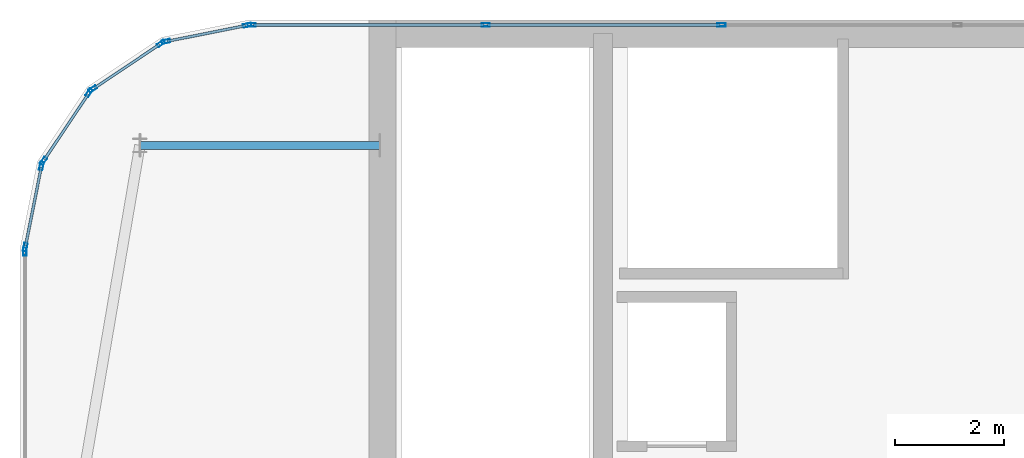
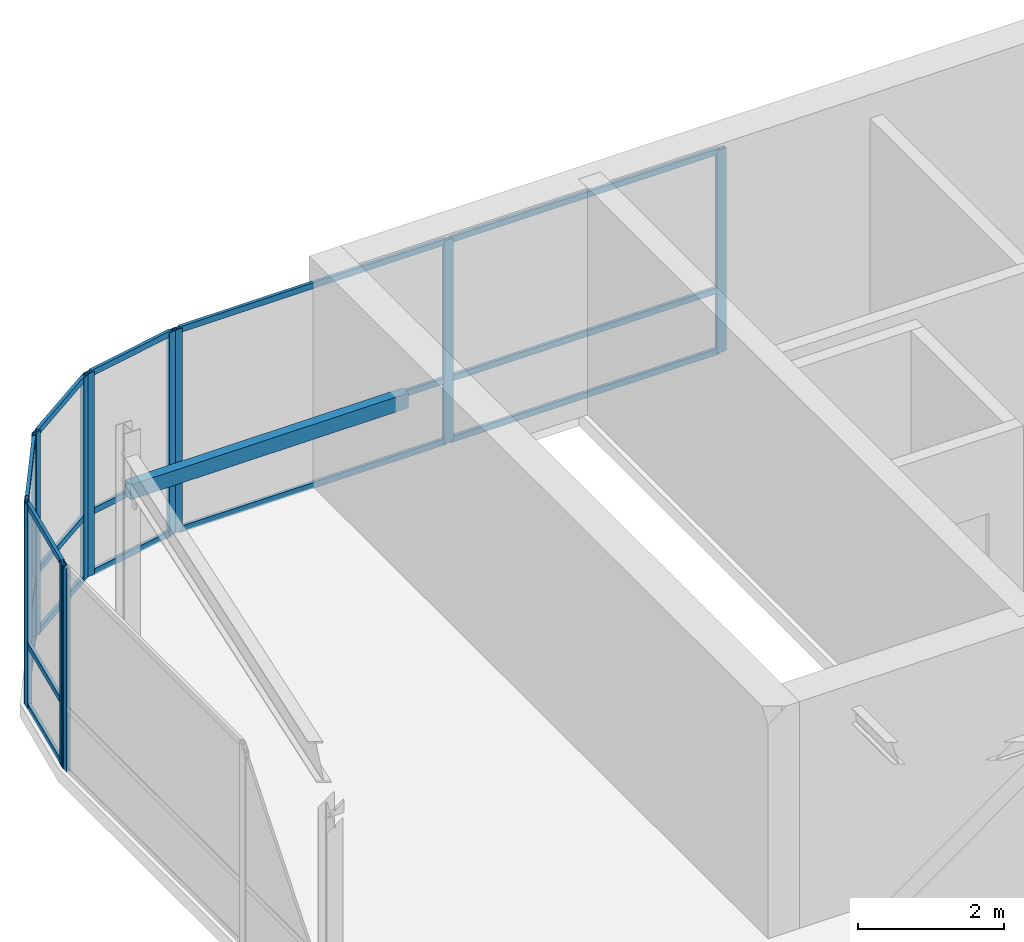
# One storey, part 26 of 35: 31 members, 6 elements without a shape of their own.
"""IFC4 building model written with IfcOpenShell, lengths in metres."""

from ifc_helpers import new_model, si_unit, direction, frame, origin, origin_2d, place, context, subcontext, project, spatial, hollow_rectangle, extrude, source, transform, mapped, material, layer, layer_set, material_profile, profile_set, type_object, type_shapes, element, aggregate, save


model = new_model("IFC4")

# Units and contexts
model_context = context("Model", 3, precision=1e-05, world=origin(), true_north=direction((0.0, 1.0)))
body_context = subcontext(model_context, "Body", "Model", "MODEL_VIEW")
ifc_project = project(units=[si_unit("LENGTHUNIT", "METRE"), si_unit("AREAUNIT", "SQUARE_METRE"), si_unit("VOLUMEUNIT", "CUBIC_METRE"), si_unit("PLANEANGLEUNIT", "RADIAN"), si_unit("MASSUNIT", "GRAM", prefix="KILO")], contexts=[model_context])

# Site, building, storey
site_placement = place(None, origin())
site = spatial("IfcSite", under=ifc_project, at=site_placement, CompositionType="ELEMENT")
building_placement = place(site_placement, origin())
building = spatial("IfcBuilding", under=site, at=building_placement, Name="Tolvann Quenvar Hotel", CompositionType="ELEMENT")
storey_placement = place(building_placement, frame((0.0, 0.0, 309.949951171875)))
storey = spatial("IfcBuildingStorey", under=building, at=storey_placement, Name="L82", CompositionType="ELEMENT", Elevation=309.949951171875)

# Member
ifc_material_1 = material(Name="Steel Grade 450 (C450L0)", Category="steel")
ifc_material_profile_1 = material_profile(ifc_material_1, hollow_rectangle(XDim=0.14990234375, YDim=0.25, WallThickness=0.009033203125, at=origin_2d()), Name="250x150x9RHS")
ifc_profile_set_1 = profile_set([ifc_material_profile_1], Name="Steel Grade 450 (C450L0)")
member_type_1 = type_object("IfcMemberType", Name="MEM_CROWN_250RHS", PredefinedType="USERDEFINED", material=ifc_profile_set_1)
shared_shape_1 = source(origin(), body_context, "Body", "SweptSolid", [
    extrude(hollow_rectangle(XDim=0.14990234375, YDim=0.25, WallThickness=0.009033203125, at=origin_2d()), origin(), (0.0, 0.0, 1.0), 4.39990234375),
])
type_shapes(member_type_1, [shared_shape_1])
member_1_placement = place(storey_placement, frame((5.800048828125, 41.89990234375, 2.75), z_axis=(1.0, 0.0, 0.0), x_axis=(0.0, 1.0, 0.0)))
element("IfcMember", 1, at=member_1_placement, inside=storey, type_object=member_type_1, Name="Crown Frame Ring Member (L82-4)", ObjectType="CROWN FRAME", PredefinedType="USERDEFINED", context=body_context, shape_type="MappedRepresentation", body=[
    mapped(shared_shape_1, transform((0.0, 0.0, 0.0), x_axis=(1.0, 0.0, 0.0), y_axis=(0.0, 1.0, 0.0), z_axis=(0.0, 0.0, 1.0), scale=1.0)),
])

# Curtain wall, members
ifc_material_2 = material(Name="Thermally broken anodised architectural aluminium 6063-T6 and laminated low-E glass", Category="aluminium")
ifc_layer = layer(ifc_material_2, 0.179931640625)
ifc_layer_set = layer_set([ifc_layer], Name="Thermally broken anodised architectural aluminium 6063-T6 and laminated low-E glass")
curtain_wall_type = type_object("IfcCurtainWallType", Name="CW_SYS_LANT_06", PredefinedType="USERDEFINED", material=ifc_layer_set)
curtain_wall_1_placement = place(storey_placement, origin())
curtain_wall_1 = element("IfcCurtainWall", 2, at=curtain_wall_1_placement, inside=storey, type_object=curtain_wall_type, Name="Curtain Wall CW-LANT-06 (CWR-L82-E16)", ObjectType="UNITISED CURTAIN WALL", PredefinedType="USERDEFINED")
ifc_material_3 = material(Name="Anodised architectural aluminium 6063-T6 framing", Category="aluminium")
ifc_material_profile_2 = material_profile(ifc_material_3, hollow_rectangle(XDim=0.050048828125, YDim=0.10009765625, WallThickness=0.0029296875, at=origin_2d()), Name="100x50x3RHS")
ifc_profile_set_2 = profile_set([ifc_material_profile_2], Name="Anodised architectural aluminium 6063-T6 framing")
member_type_2 = type_object("IfcMemberType", Name="CW_TRAN_100x50", PredefinedType="USERDEFINED", material=ifc_profile_set_2)
shared_shape_2 = source(origin(), body_context, "Body", "SweptSolid", [
    extrude(hollow_rectangle(XDim=0.050048828125, YDim=0.10009765625, WallThickness=0.0029296875, at=origin_2d()), origin(), (0.0, 0.0, 1.0), 1.439208984375),
])
member_2_placement = place(storey_placement, frame((6.15966796875, 43.75, 0.025146484375), z_axis=(-0.831449510818, -0.555600315839, 0.0), x_axis=(0.555600315839, -0.831449510818, 0.0)))
member_2 = element("IfcMember", 3, at=member_2_placement, type_object=member_type_2, Name="CW-LANT-06 transom 1.1", ObjectType="TRANSOM", PredefinedType="USERDEFINED", context=body_context, shape_type="MappedRepresentation", body=[
    mapped(shared_shape_2, transform((0.0, 0.0, 0.0), x_axis=(1.0, 0.0, 0.0), y_axis=(0.0, 1.0, 0.0), z_axis=(0.0, 0.0, 1.0), scale=1.0)),
])
member_3_placement = place(storey_placement, frame((6.15966796875, 43.75, 1.050048828125), z_axis=(-0.831449510818, -0.555600315839, 0.0), x_axis=(0.555600315839, -0.831449510818, 0.0)))
member_3 = element("IfcMember", 4, at=member_3_placement, type_object=member_type_2, Name="CW-LANT-06 transom 1.2", ObjectType="TRANSOM", PredefinedType="USERDEFINED", context=body_context, shape_type="MappedRepresentation", body=[
    mapped(shared_shape_2, transform((0.0, 0.0, 0.0), x_axis=(1.0, 0.0, 0.0), y_axis=(0.0, 1.0, 0.0), z_axis=(0.0, 0.0, 1.0), scale=1.0)),
])
member_4_placement = place(storey_placement, frame((6.15966796875, 43.75, 3.375), z_axis=(-0.831449510818, -0.555600315839, 0.0), x_axis=(0.555600315839, -0.831449510818, 0.0)))
member_4 = element("IfcMember", 5, at=member_4_placement, type_object=member_type_2, Name="CW-LANT-06 transom 1.3", ObjectType="TRANSOM", PredefinedType="USERDEFINED", context=body_context, shape_type="MappedRepresentation", body=[
    mapped(shared_shape_2, transform((0.0, 0.0, 0.0), x_axis=(1.0, 0.0, 0.0), y_axis=(0.0, 1.0, 0.0), z_axis=(0.0, 0.0, 1.0), scale=1.0)),
])

curtain_wall_2_placement = place(storey_placement, origin())
curtain_wall_2 = element("IfcCurtainWall", 6, at=curtain_wall_2_placement, inside=storey, type_object=curtain_wall_type, Name="Curtain Wall CW-LANT-06 (CWR-L82-E17)", ObjectType="UNITISED CURTAIN WALL", PredefinedType="USERDEFINED")
member_5_placement = place(storey_placement, frame((4.849609375, 42.836669921875, 0.025146484375), z_axis=(-0.555717578985, -0.831371139989, 0.0), x_axis=(0.831371139989, -0.555717578985, 0.0)))
member_5 = element("IfcMember", 7, at=member_5_placement, type_object=member_type_2, Name="CW-LANT-06 transom 1.1", ObjectType="TRANSOM", PredefinedType="USERDEFINED", context=body_context, shape_type="MappedRepresentation", body=[
    mapped(shared_shape_2, transform((0.0, 0.0, 0.0), x_axis=(1.0, 0.0, 0.0), y_axis=(0.0, 1.0, 0.0), z_axis=(0.0, 0.0, 1.0), scale=1.0)),
])
member_6_placement = place(storey_placement, frame((4.849609375, 42.836669921875, 1.050048828125), z_axis=(-0.555717578985, -0.831371139989, 0.0), x_axis=(0.831371139989, -0.555717578985, 0.0)))
member_6 = element("IfcMember", 8, at=member_6_placement, type_object=member_type_2, Name="CW-LANT-06 transom 1.2", ObjectType="TRANSOM", PredefinedType="USERDEFINED", context=body_context, shape_type="MappedRepresentation", body=[
    mapped(shared_shape_2, transform((0.0, 0.0, 0.0), x_axis=(1.0, 0.0, 0.0), y_axis=(0.0, 1.0, 0.0), z_axis=(0.0, 0.0, 1.0), scale=1.0)),
])
member_7_placement = place(storey_placement, frame((4.849609375, 42.836669921875, 3.375), z_axis=(-0.555717578985, -0.831371139989, 0.0), x_axis=(0.831371139989, -0.555717578985, 0.0)))
member_7 = element("IfcMember", 9, at=member_7_placement, type_object=member_type_2, Name="CW-LANT-06 transom 1.3", ObjectType="TRANSOM", PredefinedType="USERDEFINED", context=body_context, shape_type="MappedRepresentation", body=[
    mapped(shared_shape_2, transform((0.0, 0.0, 0.0), x_axis=(1.0, 0.0, 0.0), y_axis=(0.0, 1.0, 0.0), z_axis=(0.0, 0.0, 1.0), scale=1.0)),
])

curtain_wall_3_placement = place(storey_placement, origin())
curtain_wall_3 = element("IfcCurtainWall", 10, at=curtain_wall_3_placement, inside=storey, type_object=curtain_wall_type, Name="Curtain Wall CW-LANT-06 (CWR-L82-E15)", ObjectType="UNITISED CURTAIN WALL", PredefinedType="USERDEFINED")
shared_shape_3 = source(origin(), body_context, "Body", "SweptSolid", [
    extrude(hollow_rectangle(XDim=0.050048828125, YDim=0.10009765625, WallThickness=0.0029296875, at=origin_2d()), origin(), (0.0, 0.0, 1.0), 1.456787109375),
])
member_8_placement = place(storey_placement, frame((7.73681640625, 44.095703125, 0.025146484375), z_axis=(-0.980786408364, -0.195084651288, 0.0), x_axis=(0.195084651288, -0.980786408364, 0.0)))
member_8 = element("IfcMember", 11, at=member_8_placement, type_object=member_type_2, Name="CW-LANT-06 transom 1.1", ObjectType="TRANSOM", PredefinedType="USERDEFINED", context=body_context, shape_type="MappedRepresentation", body=[
    mapped(shared_shape_3, transform((0.0, 0.0, 0.0), x_axis=(1.0, 0.0, 0.0), y_axis=(0.0, 1.0, 0.0), z_axis=(0.0, 0.0, 1.0), scale=1.0)),
])
member_9_placement = place(storey_placement, frame((7.73681640625, 44.095703125, 1.050048828125), z_axis=(-0.980786408364, -0.195084651288, 0.0), x_axis=(0.195084651288, -0.980786408364, 0.0)))
member_9 = element("IfcMember", 12, at=member_9_placement, type_object=member_type_2, Name="CW-LANT-06 transom 1.2", ObjectType="TRANSOM", PredefinedType="USERDEFINED", context=body_context, shape_type="MappedRepresentation", body=[
    mapped(shared_shape_3, transform((0.0, 0.0, 0.0), x_axis=(1.0, 0.0, 0.0), y_axis=(0.0, 1.0, 0.0), z_axis=(0.0, 0.0, 1.0), scale=1.0)),
])
member_10_placement = place(storey_placement, frame((7.73681640625, 44.095703125, 3.375), z_axis=(-0.980786408364, -0.195084651288, 0.0), x_axis=(0.195084651288, -0.980786408364, 0.0)))
member_10 = element("IfcMember", 13, at=member_10_placement, type_object=member_type_2, Name="CW-LANT-06 transom 1.3", ObjectType="TRANSOM", PredefinedType="USERDEFINED", context=body_context, shape_type="MappedRepresentation", body=[
    mapped(shared_shape_3, transform((0.0, 0.0, 0.0), x_axis=(1.0, 0.0, 0.0), y_axis=(0.0, 1.0, 0.0), z_axis=(0.0, 0.0, 1.0), scale=1.0)),
])

curtain_wall_4_placement = place(storey_placement, origin())
curtain_wall_4 = element("IfcCurtainWall", 14, at=curtain_wall_4_placement, inside=storey, type_object=curtain_wall_type, Name="Curtain Wall CW-LANT-06 (CWR-L82-E18)", ObjectType="UNITISED CURTAIN WALL", PredefinedType="USERDEFINED")
member_11_placement = place(storey_placement, frame((3.988525390625, 41.491943359375, 0.025146484375), z_axis=(-0.195084651288, -0.980786408364, 0.0), x_axis=(0.980786408364, -0.195084651288, 0.0)))
member_11 = element("IfcMember", 15, at=member_11_placement, type_object=member_type_2, Name="CW-LANT-06 transom 1.1", ObjectType="TRANSOM", PredefinedType="USERDEFINED", context=body_context, shape_type="MappedRepresentation", body=[
    mapped(shared_shape_3, transform((0.0, 0.0, 0.0), x_axis=(1.0, 0.0, 0.0), y_axis=(0.0, 1.0, 0.0), z_axis=(0.0, 0.0, 1.0), scale=1.0)),
])
member_12_placement = place(storey_placement, frame((3.988525390625, 41.491943359375, 1.050048828125), z_axis=(-0.195084651288, -0.980786408364, 0.0), x_axis=(0.980786408364, -0.195084651288, 0.0)))
member_12 = element("IfcMember", 16, at=member_12_placement, type_object=member_type_2, Name="CW-LANT-06 transom 1.2", ObjectType="TRANSOM", PredefinedType="USERDEFINED", context=body_context, shape_type="MappedRepresentation", body=[
    mapped(shared_shape_3, transform((0.0, 0.0, 0.0), x_axis=(1.0, 0.0, 0.0), y_axis=(0.0, 1.0, 0.0), z_axis=(0.0, 0.0, 1.0), scale=1.0)),
])
member_13_placement = place(storey_placement, frame((3.988525390625, 41.491943359375, 3.375), z_axis=(-0.195084651288, -0.980786408364, 0.0), x_axis=(0.980786408364, -0.195084651288, 0.0)))
member_13 = element("IfcMember", 17, at=member_13_placement, type_object=member_type_2, Name="CW-LANT-06 transom 1.3", ObjectType="TRANSOM", PredefinedType="USERDEFINED", context=body_context, shape_type="MappedRepresentation", body=[
    mapped(shared_shape_3, transform((0.0, 0.0, 0.0), x_axis=(1.0, 0.0, 0.0), y_axis=(0.0, 1.0, 0.0), z_axis=(0.0, 0.0, 1.0), scale=1.0)),
])

curtain_wall_5_placement = place(storey_placement, origin())
curtain_wall_5 = element("IfcCurtainWall", 18, at=curtain_wall_5_placement, inside=storey, type_object=curtain_wall_type, Name="Curtain Wall CW-LANT-06 (CWR-L82-E14)", ObjectType="UNITISED CURTAIN WALL", PredefinedType="USERDEFINED")
shared_shape_4 = source(origin(), body_context, "Body", "SweptSolid", [
    extrude(hollow_rectangle(XDim=0.050048828125, YDim=0.10009765625, WallThickness=0.0029296875, at=origin_2d()), origin(), (0.0, 0.0, 1.0), 4.230224609375),
])
member_14_placement = place(storey_placement, frame((12.1123046875, 44.110107421875, 0.025146484375), z_axis=(-1.0, 0.0, 0.0), x_axis=(0.0, -1.0, 0.0)))
member_14 = element("IfcMember", 19, at=member_14_placement, type_object=member_type_2, Name="CW-LANT-06 transom 6.1", ObjectType="TRANSOM", PredefinedType="USERDEFINED", context=body_context, shape_type="MappedRepresentation", body=[
    mapped(shared_shape_4, transform((0.0, 0.0, 0.0), x_axis=(1.0, 0.0, 0.0), y_axis=(0.0, 1.0, 0.0), z_axis=(0.0, 0.0, 1.0), scale=1.0)),
])
member_15_placement = place(storey_placement, frame((12.1123046875, 44.110107421875, 1.050048828125), z_axis=(-1.0, 0.0, 0.0), x_axis=(0.0, -1.0, 0.0)))
member_15 = element("IfcMember", 20, at=member_15_placement, type_object=member_type_2, Name="CW-LANT-06 transom 6.2", ObjectType="TRANSOM", PredefinedType="USERDEFINED", context=body_context, shape_type="MappedRepresentation", body=[
    mapped(shared_shape_4, transform((0.0, 0.0, 0.0), x_axis=(1.0, 0.0, 0.0), y_axis=(0.0, 1.0, 0.0), z_axis=(0.0, 0.0, 1.0), scale=1.0)),
])
member_16_placement = place(storey_placement, frame((12.1123046875, 44.110107421875, 3.375), z_axis=(-1.0, 0.0, 0.0), x_axis=(0.0, -1.0, 0.0)))
member_16 = element("IfcMember", 21, at=member_16_placement, type_object=member_type_2, Name="CW-LANT-06 transom 6.3", ObjectType="TRANSOM", PredefinedType="USERDEFINED", context=body_context, shape_type="MappedRepresentation", body=[
    mapped(shared_shape_4, transform((0.0, 0.0, 0.0), x_axis=(1.0, 0.0, 0.0), y_axis=(0.0, 1.0, 0.0), z_axis=(0.0, 0.0, 1.0), scale=1.0)),
])
shared_shape_5 = source(origin(), body_context, "Body", "SweptSolid", [
    extrude(hollow_rectangle(XDim=0.050048828125, YDim=0.10009765625, WallThickness=0.0029296875, at=origin_2d()), origin(), (0.0, 0.0, 1.0), 4.2626953125),
])
type_shapes(member_type_2, [shared_shape_2, shared_shape_3, shared_shape_4, shared_shape_5])
member_17_placement = place(storey_placement, frame((16.43994140625, 44.110107421875, 0.025146484375), z_axis=(-1.0, 0.0, 0.0), x_axis=(0.0, -1.0, 0.0)))
member_17 = element("IfcMember", 22, at=member_17_placement, type_object=member_type_2, Name="CW-LANT-06 transom 5.1", ObjectType="TRANSOM", PredefinedType="USERDEFINED", context=body_context, shape_type="MappedRepresentation", body=[
    mapped(shared_shape_5, transform((0.0, 0.0, 0.0), x_axis=(1.0, 0.0, 0.0), y_axis=(0.0, 1.0, 0.0), z_axis=(0.0, 0.0, 1.0), scale=1.0)),
])
member_18_placement = place(storey_placement, frame((16.43994140625, 44.110107421875, 1.050048828125), z_axis=(-1.0, 0.0, 0.0), x_axis=(0.0, -1.0, 0.0)))
member_18 = element("IfcMember", 23, at=member_18_placement, type_object=member_type_2, Name="CW-LANT-06 transom 5.2", ObjectType="TRANSOM", PredefinedType="USERDEFINED", context=body_context, shape_type="MappedRepresentation", body=[
    mapped(shared_shape_5, transform((0.0, 0.0, 0.0), x_axis=(1.0, 0.0, 0.0), y_axis=(0.0, 1.0, 0.0), z_axis=(0.0, 0.0, 1.0), scale=1.0)),
])
member_19_placement = place(storey_placement, frame((16.43994140625, 44.110107421875, 3.375), z_axis=(-1.0, 0.0, 0.0), x_axis=(0.0, -1.0, 0.0)))
member_19 = element("IfcMember", 24, at=member_19_placement, type_object=member_type_2, Name="CW-LANT-06 transom 5.3", ObjectType="TRANSOM", PredefinedType="USERDEFINED", context=body_context, shape_type="MappedRepresentation", body=[
    mapped(shared_shape_5, transform((0.0, 0.0, 0.0), x_axis=(1.0, 0.0, 0.0), y_axis=(0.0, 1.0, 0.0), z_axis=(0.0, 0.0, 1.0), scale=1.0)),
])
ifc_material_profile_3 = material_profile(ifc_material_3, hollow_rectangle(XDim=0.06494140625, YDim=0.14990234375, WallThickness=0.00390625, at=origin_2d()), Name="150x65x4RHS")
ifc_profile_set_3 = profile_set([ifc_material_profile_3], Name="Anodised architectural aluminium 6063-T6 framing")
member_type_3 = type_object("IfcMemberType", Name="CW_MULL_150x65", PredefinedType="MULLION", material=ifc_profile_set_3)
shared_shape_6 = source(origin(), body_context, "Body", "SweptSolid", [
    extrude(hollow_rectangle(XDim=0.06494140625, YDim=0.14990234375, WallThickness=0.00390625, at=origin_2d()), origin(), (0.0, 0.0, 1.0), 3.400146484375),
])
type_shapes(member_type_3, [shared_shape_6])
member_20_placement = place(storey_placement, frame((16.472412109375, 44.110107421875, 0.0), z_axis=(0.0, 0.0, 1.0), x_axis=(0.0, -1.0, 0.0)))
member_20 = element("IfcMember", 25, at=member_20_placement, type_object=member_type_3, Name="CW-LANT-06 mullion 5", PredefinedType="MULLION", context=body_context, shape_type="MappedRepresentation", body=[
    mapped(shared_shape_6, transform((0.0, 0.0, 0.0), x_axis=(1.0, 0.0, 0.0), y_axis=(0.0, 1.0, 0.0), z_axis=(0.0, 0.0, 1.0), scale=1.0)),
])
member_21_placement = place(storey_placement, frame((12.144775390625, 44.110107421875, 0.0), z_axis=(0.0, 0.0, 1.0), x_axis=(0.0, -1.0, 0.0)))
member_21 = element("IfcMember", 26, at=member_21_placement, type_object=member_type_3, Name="CW-LANT-06 mullion 6", PredefinedType="MULLION", context=body_context, shape_type="MappedRepresentation", body=[
    mapped(shared_shape_6, transform((0.0, 0.0, 0.0), x_axis=(1.0, 0.0, 0.0), y_axis=(0.0, 1.0, 0.0), z_axis=(0.0, 0.0, 1.0), scale=1.0)),
])
member_22_placement = place(storey_placement, frame((7.849609375, 44.110107421875, 0.0), z_axis=(0.0, 0.0, 1.0), x_axis=(0.0, -1.0, 0.0)))
member_22 = element("IfcMember", 27, at=member_22_placement, type_object=member_type_3, Name="CW-LANT-06 mullion 7", PredefinedType="MULLION", context=body_context, shape_type="MappedRepresentation", body=[
    mapped(shared_shape_6, transform((0.0, 0.0, 0.0), x_axis=(1.0, 0.0, 0.0), y_axis=(0.0, 1.0, 0.0), z_axis=(0.0, 0.0, 1.0), scale=1.0)),
])
aggregate(curtain_wall_5, [member_20, member_21, member_22, member_17, member_18, member_19, member_14, member_15, member_16])

# Member
member_23_placement = place(storey_placement, frame((7.768798828125, 44.10205078125, 0.0), z_axis=(0.0, 0.0, 1.0), x_axis=(0.195061569369, -0.980790999222, 0.0)))
member_23 = element("IfcMember", 28, at=member_23_placement, type_object=member_type_3, Name="CW-LANT-06 mullion 1", PredefinedType="MULLION", context=body_context, shape_type="MappedRepresentation", body=[
    mapped(shared_shape_6, transform((0.0, 0.0, 0.0), x_axis=(1.0, 0.0, 0.0), y_axis=(0.0, 1.0, 0.0), z_axis=(0.0, 0.0, 1.0), scale=1.0)),
])

member_24_placement = place(storey_placement, frame((6.2763671875, 43.80517578125, 0.0), z_axis=(0.0, 0.0, 1.0), x_axis=(0.195061569369, -0.980790999222, 0.0)))
member_24 = element("IfcMember", 29, at=member_24_placement, type_object=member_type_3, Name="CW-LANT-06 mullion 2", PredefinedType="MULLION", context=body_context, shape_type="MappedRepresentation", body=[
    mapped(shared_shape_6, transform((0.0, 0.0, 0.0), x_axis=(1.0, 0.0, 0.0), y_axis=(0.0, 1.0, 0.0), z_axis=(0.0, 0.0, 1.0), scale=1.0)),
])

aggregate(curtain_wall_3, [member_23, member_24, member_8, member_9, member_10])

member_25_placement = place(storey_placement, frame((6.186767578125, 43.76806640625, 0.0), z_axis=(0.0, 0.0, 1.0), x_axis=(0.555655769644, -0.831412452193, 0.0)))
member_25 = element("IfcMember", 30, at=member_25_placement, type_object=member_type_3, Name="CW-LANT-06 mullion 1", PredefinedType="MULLION", context=body_context, shape_type="MappedRepresentation", body=[
    mapped(shared_shape_6, transform((0.0, 0.0, 0.0), x_axis=(1.0, 0.0, 0.0), y_axis=(0.0, 1.0, 0.0), z_axis=(0.0, 0.0, 1.0), scale=1.0)),
])

member_26_placement = place(storey_placement, frame((4.936279296875, 42.932373046875, 0.0), z_axis=(0.0, 0.0, 1.0), x_axis=(0.555655769644, -0.831412452193, 0.0)))
member_26 = element("IfcMember", 31, at=member_26_placement, type_object=member_type_3, Name="CW-LANT-06 mullion 2", PredefinedType="MULLION", context=body_context, shape_type="MappedRepresentation", body=[
    mapped(shared_shape_6, transform((0.0, 0.0, 0.0), x_axis=(1.0, 0.0, 0.0), y_axis=(0.0, 1.0, 0.0), z_axis=(0.0, 0.0, 1.0), scale=1.0)),
])

aggregate(curtain_wall_1, [member_25, member_26, member_2, member_3, member_4])

member_27_placement = place(storey_placement, frame((4.86767578125, 42.86376953125, 0.0), z_axis=(0.0, 0.0, 1.0), x_axis=(0.831412452193, -0.555655769644, 0.0)))
member_27 = element("IfcMember", 32, at=member_27_placement, type_object=member_type_3, Name="CW-LANT-06 mullion 1", PredefinedType="MULLION", context=body_context, shape_type="MappedRepresentation", body=[
    mapped(shared_shape_6, transform((0.0, 0.0, 0.0), x_axis=(1.0, 0.0, 0.0), y_axis=(0.0, 1.0, 0.0), z_axis=(0.0, 0.0, 1.0), scale=1.0)),
])

member_28_placement = place(storey_placement, frame((4.03173828125, 41.61328125, 0.0), z_axis=(0.0, 0.0, 1.0), x_axis=(0.831412452193, -0.555655769644, 0.0)))
member_28 = element("IfcMember", 33, at=member_28_placement, type_object=member_type_3, Name="CW-LANT-06 mullion 2", PredefinedType="MULLION", context=body_context, shape_type="MappedRepresentation", body=[
    mapped(shared_shape_6, transform((0.0, 0.0, 0.0), x_axis=(1.0, 0.0, 0.0), y_axis=(0.0, 1.0, 0.0), z_axis=(0.0, 0.0, 1.0), scale=1.0)),
])

aggregate(curtain_wall_2, [member_27, member_28, member_5, member_6, member_7])

member_29_placement = place(storey_placement, frame((3.994873046875, 41.523681640625, 0.0), z_axis=(0.0, 0.0, 1.0), x_axis=(0.980790999222, -0.195061569369, 0.0)))
member_29 = element("IfcMember", 34, at=member_29_placement, type_object=member_type_3, Name="CW-LANT-06 mullion 1", PredefinedType="MULLION", context=body_context, shape_type="MappedRepresentation", body=[
    mapped(shared_shape_6, transform((0.0, 0.0, 0.0), x_axis=(1.0, 0.0, 0.0), y_axis=(0.0, 1.0, 0.0), z_axis=(0.0, 0.0, 1.0), scale=1.0)),
])

member_30_placement = place(storey_placement, frame((3.697998046875, 40.03125, 0.0), z_axis=(0.0, 0.0, 1.0), x_axis=(0.980790999222, -0.195061569369, 0.0)))
member_30 = element("IfcMember", 35, at=member_30_placement, type_object=member_type_3, Name="CW-LANT-06 mullion 2", PredefinedType="MULLION", context=body_context, shape_type="MappedRepresentation", body=[
    mapped(shared_shape_6, transform((0.0, 0.0, 0.0), x_axis=(1.0, 0.0, 0.0), y_axis=(0.0, 1.0, 0.0), z_axis=(0.0, 0.0, 1.0), scale=1.0)),
])

aggregate(curtain_wall_4, [member_29, member_30, member_11, member_12, member_13])

# Curtain wall, member
curtain_wall_6_placement = place(storey_placement, origin())
curtain_wall_6 = element("IfcCurtainWall", 36, at=curtain_wall_6_placement, inside=storey, type_object=curtain_wall_type, Name="Curtain Wall CW-LANT-06 (CWR-L82-E19)", ObjectType="UNITISED CURTAIN WALL", PredefinedType="USERDEFINED")
member_31_placement = place(storey_placement, frame((3.68994140625, 39.9501953125, 0.0), z_axis=(0.0, 0.0, 1.0), x_axis=(1.0, 0.0, 0.0)))
member_31 = element("IfcMember", 37, at=member_31_placement, type_object=member_type_3, Name="CW-LANT-06 mullion 1", PredefinedType="MULLION", context=body_context, shape_type="MappedRepresentation", body=[
    mapped(shared_shape_6, transform((0.0, 0.0, 0.0), x_axis=(1.0, 0.0, 0.0), y_axis=(0.0, 1.0, 0.0), z_axis=(0.0, 0.0, 1.0), scale=1.0)),
])
aggregate(curtain_wall_6, [member_31])

save(model, "model.ifc")
